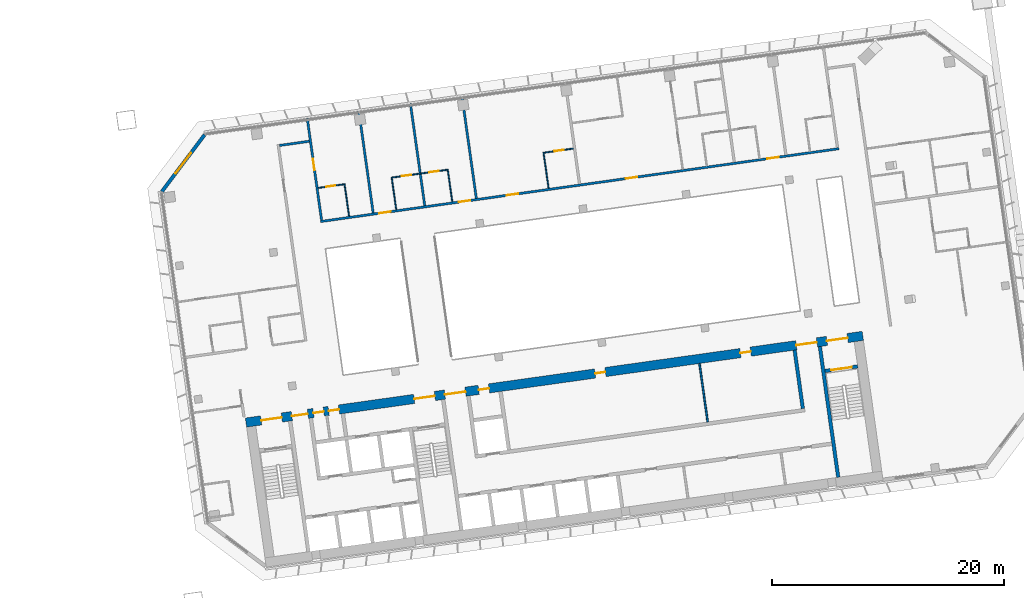
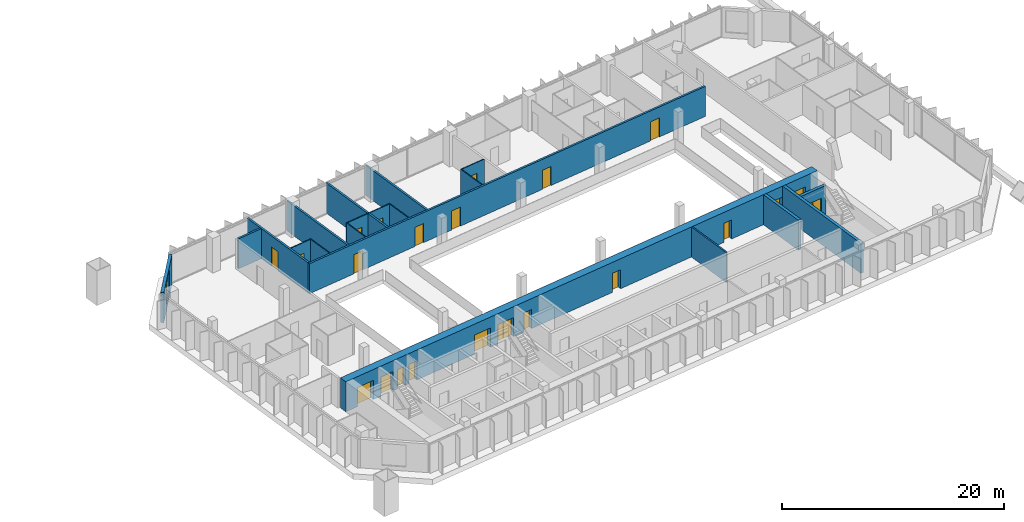
# One storey, part 24 of 34: 22 doors, 19 walls, 1 window, 23 openings.
"""IFC4 building model written with IfcOpenShell, lengths in metres."""

from ifc_helpers import new_model, si_unit, direction, frame, frame_2d, origin, place, context, subcontext, project, spatial, rectangle, extrude, material, layer, layer_set, type_object, element, fill, save


model = new_model("IFC4")

# Units and contexts
model_context = context("Model", 3, precision=1e-05, world=origin(), true_north=direction((0.0, 1.0)))
body_context = subcontext(model_context, "Body", "Model", "MODEL_VIEW")
ifc_project = project(units=[si_unit("LENGTHUNIT", "METRE"), si_unit("AREAUNIT", "SQUARE_METRE"), si_unit("VOLUMEUNIT", "CUBIC_METRE"), si_unit("PLANEANGLEUNIT", "RADIAN"), si_unit("MASSUNIT", "GRAM", prefix="KILO")], contexts=[model_context])

# Site, building, storey
site_placement = place(None, origin())
site = spatial("IfcSite", under=ifc_project, at=site_placement, CompositionType="ELEMENT")
building_placement = place(site_placement, origin())
building = spatial("IfcBuilding", under=site, at=building_placement, Name="Mirante Cascada Hotel Towers", CompositionType="ELEMENT")
storey_placement = place(building_placement, frame((0.0, 0.0, 148.1)))
storey = spatial("IfcBuildingStorey", under=building, at=storey_placement, Name="L34", CompositionType="ELEMENT", Elevation=148.1)

# Wall, openings, doors
ifc_material_1 = material(Name="Fire-rated plasterboard on metal studs")
ifc_layer_1 = layer(ifc_material_1, 0.2)
ifc_layer_set_1 = layer_set([ifc_layer_1], Name="Compartment wall 200 EI 120")
wall_type_1 = type_object("IfcWallType", Name="Compartment wall 200 EI 120", PredefinedType="PARTITIONING", material=ifc_layer_set_1)
wall_1_placement = place(storey_placement, frame((86.638, 16.0582, 0.0), z_axis=(0.0, 0.0, 1.0), x_axis=(-0.9902681, -0.1391726, 0.0)))
wall_1 = element("IfcWall", 1, at=wall_1_placement, inside=storey, type_object=wall_type_1, Name="Wall 2-L34-16", PredefinedType="PARTITIONING", context=body_context, shape_type="SweptSolid", body=[
    extrude(rectangle(XDim=45.2, YDim=0.2, at=frame_2d((22.6, 0.0))), origin(), (0.0, 0.0, 1.0), 3.3),
])
opening_1_placement = place(wall_1_placement, frame((39.0938, 0.0, 0.0)))
opening_1 = element("IfcOpeningElement", 2, at=opening_1_placement, cuts=wall_1, Name="Opening D2-L34-06", PredefinedType="OPENING", context=body_context, shape_type="SweptSolid", body=[
    extrude(rectangle(XDim=1.0, YDim=2.1, at=frame_2d((0.5, 1.05))), frame((0.0, 0.1, 0.0), z_axis=(0.0, -1.0, 0.0), x_axis=(1.0, 0.0, 0.0)), (0.0, 0.0, 1.0), 0.2),
])
opening_2_placement = place(wall_1_placement, frame((32.15, 0.0, 0.0)))
opening_2 = element("IfcOpeningElement", 3, at=opening_2_placement, cuts=wall_1, Name="Opening D2-L34-07", PredefinedType="OPENING", context=body_context, shape_type="SweptSolid", body=[
    extrude(rectangle(XDim=1.0, YDim=2.1, at=frame_2d((0.5, 1.05))), frame((0.0, 0.1, 0.0), z_axis=(0.0, -1.0, 0.0), x_axis=(1.0, 0.0, 0.0)), (0.0, 0.0, 1.0), 0.2),
])
opening_3_placement = place(wall_1_placement, frame((27.95, 0.0, 0.0)))
opening_3 = element("IfcOpeningElement", 4, at=opening_3_placement, cuts=wall_1, Name="Opening D2-L34-08", PredefinedType="OPENING", context=body_context, shape_type="SweptSolid", body=[
    extrude(rectangle(XDim=1.0, YDim=2.1, at=frame_2d((0.5, 1.05))), frame((0.0, 0.1, 0.0), z_axis=(0.0, -1.0, 0.0), x_axis=(1.0, 0.0, 0.0)), (0.0, 0.0, 1.0), 0.2),
])
opening_4_placement = place(wall_1_placement, frame((17.6, 0.0, 0.0)))
opening_4 = element("IfcOpeningElement", 5, at=opening_4_placement, cuts=wall_1, Name="Opening D2-L34-09", PredefinedType="OPENING", context=body_context, shape_type="SweptSolid", body=[
    extrude(rectangle(XDim=1.0, YDim=2.1, at=frame_2d((0.5, 1.05))), frame((0.0, 0.1, 0.0), z_axis=(0.0, -1.0, 0.0), x_axis=(1.0, 0.0, 0.0)), (0.0, 0.0, 1.0), 0.2),
])
opening_5_placement = place(wall_1_placement, frame((5.25, 0.0, 0.0)))
opening_5 = element("IfcOpeningElement", 6, at=opening_5_placement, cuts=wall_1, Name="Opening D2-L34-10", PredefinedType="OPENING", context=body_context, shape_type="SweptSolid", body=[
    extrude(rectangle(XDim=1.0, YDim=2.1, at=frame_2d((0.5, 1.05))), frame((0.0, 0.1, 0.0), z_axis=(0.0, -1.0, 0.0), x_axis=(1.0, 0.0, 0.0)), (0.0, 0.0, 1.0), 0.2),
])
ifc_material_2 = material(Name="Fire-rated timber door leaf", Category="wood")
door_type_1 = type_object("IfcDoorType", Name="Entrance door DG1 1000x2100 EI 60", OperationType="SINGLE_SWING_LEFT", PredefinedType="DOOR", material=ifc_material_2)
door_1_placement = place(opening_1_placement, frame((1.0, 0.0, 0.0), z_axis=(0.0, 0.0, 1.0), x_axis=(-1.0, 0.0, 0.0)))
door_1 = element("IfcDoor", 7, at=door_1_placement, inside=storey, type_object=door_type_1, Name="Door D2-L34-06", OperationType="SINGLE_SWING_RIGHT", OverallHeight=2.1, OverallWidth=1.0, PredefinedType="DOOR", context=body_context, shape_type="SweptSolid", body=[
    extrude(rectangle(XDim=1.0, YDim=2.1, at=frame_2d((0.5, 1.05))), frame((0.0, 0.025, 0.0), z_axis=(0.0, -1.0, 0.0), x_axis=(1.0, 0.0, 0.0)), (0.0, 0.0, 1.0), 0.05),
])
fill(opening_1, door_1)
door_2_placement = place(opening_2_placement, frame((1.0, 0.0, 0.0), z_axis=(0.0, 0.0, 1.0), x_axis=(-1.0, 0.0, 0.0)))
door_2 = element("IfcDoor", 8, at=door_2_placement, inside=storey, type_object=door_type_1, Name="Door D2-L34-07", OperationType="SINGLE_SWING_RIGHT", OverallHeight=2.1, OverallWidth=1.0, PredefinedType="DOOR", context=body_context, shape_type="SweptSolid", body=[
    extrude(rectangle(XDim=1.0, YDim=2.1, at=frame_2d((0.5, 1.05))), frame((0.0, 0.025, 0.0), z_axis=(0.0, -1.0, 0.0), x_axis=(1.0, 0.0, 0.0)), (0.0, 0.0, 1.0), 0.05),
])
fill(opening_2, door_2)
door_3_placement = place(opening_3_placement, frame((1.0, 0.0, 0.0), z_axis=(0.0, 0.0, 1.0), x_axis=(-1.0, 0.0, 0.0)))
door_3 = element("IfcDoor", 9, at=door_3_placement, inside=storey, type_object=door_type_1, Name="Door D2-L34-08", OperationType="SINGLE_SWING_RIGHT", OverallHeight=2.1, OverallWidth=1.0, PredefinedType="DOOR", context=body_context, shape_type="SweptSolid", body=[
    extrude(rectangle(XDim=1.0, YDim=2.1, at=frame_2d((0.5, 1.05))), frame((0.0, 0.025, 0.0), z_axis=(0.0, -1.0, 0.0), x_axis=(1.0, 0.0, 0.0)), (0.0, 0.0, 1.0), 0.05),
])
fill(opening_3, door_3)
door_4_placement = place(opening_4_placement, frame((1.0, 0.0, 0.0), z_axis=(0.0, 0.0, 1.0), x_axis=(-1.0, 0.0, 0.0)))
door_4 = element("IfcDoor", 10, at=door_4_placement, inside=storey, type_object=door_type_1, Name="Door D2-L34-09", OperationType="SINGLE_SWING_RIGHT", OverallHeight=2.1, OverallWidth=1.0, PredefinedType="DOOR", context=body_context, shape_type="SweptSolid", body=[
    extrude(rectangle(XDim=1.0, YDim=2.1, at=frame_2d((0.5, 1.05))), frame((0.0, 0.025, 0.0), z_axis=(0.0, -1.0, 0.0), x_axis=(1.0, 0.0, 0.0)), (0.0, 0.0, 1.0), 0.05),
])
fill(opening_4, door_4)
door_5_placement = place(opening_5_placement, frame((1.0, 0.0, 0.0), z_axis=(0.0, 0.0, 1.0), x_axis=(-1.0, 0.0, 0.0)))
door_5 = element("IfcDoor", 11, at=door_5_placement, inside=storey, type_object=door_type_1, Name="Door D2-L34-10", OperationType="SINGLE_SWING_RIGHT", OverallHeight=2.1, OverallWidth=1.0, PredefinedType="DOOR", context=body_context, shape_type="SweptSolid", body=[
    extrude(rectangle(XDim=1.0, YDim=2.1, at=frame_2d((0.5, 1.05))), frame((0.0, 0.025, 0.0), z_axis=(0.0, -1.0, 0.0), x_axis=(1.0, 0.0, 0.0)), (0.0, 0.0, 1.0), 0.05),
])
fill(opening_5, door_5)

# Wall
wall_2_placement = place(storey_placement, frame((40.9036, 16.6995, 0.0), z_axis=(0.0, 0.0, 1.0), x_axis=(-0.9902647, -0.1391971, 0.0)))
element("IfcWall", 12, at=wall_2_placement, inside=storey, type_object=wall_type_1, Name="Wall 2-L34-24", PredefinedType="PARTITIONING", context=body_context, shape_type="SweptSolid", body=[
    extrude(rectangle(XDim=2.5999, YDim=0.2, at=frame_2d((1.3, 0.0))), origin(), (0.0, 0.0, 1.0), 3.3),
])

# Wall, opening, door
wall_3_placement = place(storey_placement, frame((41.963, 9.8805, 0.0), z_axis=(0.0, 0.0, 1.0), x_axis=(-0.1391794, 0.9902672, 0.0)))
wall_3 = element("IfcWall", 13, at=wall_3_placement, inside=storey, type_object=wall_type_1, Name="Wall 2-L34-33", PredefinedType="PARTITIONING", context=body_context, shape_type="SweptSolid", body=[
    extrude(rectangle(XDim=8.9, YDim=0.2, at=frame_2d((4.45, 0.0))), origin(), (0.0, 0.0, 1.0), 3.3),
])
opening_6_placement = place(wall_3_placement, frame((4.35, 0.0, 0.0)))
opening_6 = element("IfcOpeningElement", 14, at=opening_6_placement, cuts=wall_3, Name="Opening D2-L34-25", PredefinedType="OPENING", context=body_context, shape_type="SweptSolid", body=[
    extrude(rectangle(XDim=1.0, YDim=2.1, at=frame_2d((0.5, 1.05))), frame((0.0, 0.1, 0.0), z_axis=(0.0, -1.0, 0.0), x_axis=(1.0, 0.0, 0.0)), (0.0, 0.0, 1.0), 0.2),
])
door_6_placement = place(opening_6_placement, frame((1.0, 0.0, 0.0), z_axis=(0.0, 0.0, 1.0), x_axis=(-1.0, 0.0, 0.0)))
door_6 = element("IfcDoor", 15, at=door_6_placement, inside=storey, type_object=door_type_1, Name="Door D2-L34-25", OperationType="SINGLE_SWING_RIGHT", OverallHeight=2.1, OverallWidth=1.0, PredefinedType="DOOR", context=body_context, shape_type="SweptSolid", body=[
    extrude(rectangle(XDim=1.0, YDim=2.1, at=frame_2d((0.5, 1.05))), frame((0.0, 0.025, 0.0), z_axis=(0.0, -1.0, 0.0), x_axis=(1.0, 0.0, 0.0)), (0.0, 0.0, 1.0), 0.05),
])
fill(opening_6, door_6)

# Walls
for number, where, z_axis, x_axis, name in (
    (16, (46.4192, 10.5068, 0.0), (0.0, 0.0, 1.0), (-0.1391794, 0.9902672, 0.0), "Wall 2-L34-35"),
    (17, (50.8754, 11.1331, 0.0), (0.0, 0.0, 1.0), (-0.1391794, 0.9902672, 0.0), "Wall 2-L34-37"),
    (18, (55.3316, 11.7594, 0.0), (0.0, 0.0, 1.0), (-0.1391794, 0.9902672, 0.0), "Wall 2-L34-39"),
):
    element("IfcWall", number, at=place(storey_placement, frame(where, z_axis=z_axis, x_axis=x_axis)), inside=storey, type_object=wall_type_1, Name=name, PredefinedType="PARTITIONING", context=body_context, shape_type="SweptSolid", body=[
        extrude(rectangle(XDim=8.9, YDim=0.2, at=frame_2d((4.45, 0.0))), origin(), (0.0, 0.0, 1.0), 3.3),
    ])
ifc_material_3 = material(Name="Masonry block", Category="masonry")
ifc_layer_2 = layer(ifc_material_3, 0.15)
ifc_layer_set_2 = layer_set([ifc_layer_2], Name="Core room partition 150 block EI 30")
wall_type_2 = type_object("IfcWallType", Name="Core room partition 150 block EI 30", PredefinedType="PARTITIONING", material=ifc_layer_set_2)
wall_4_placement = place(storey_placement, frame((75.3131, -7.5476, 0.0), z_axis=(0.0, 0.0, 1.0), x_axis=(-0.1391782, 0.9902673, 0.0)))
element("IfcWall", 19, at=wall_4_placement, inside=storey, type_object=wall_type_2, Name="Core wall partition T2 L34 7", PredefinedType="PARTITIONING", context=body_context, shape_type="SweptSolid", body=[
    extrude(rectangle(XDim=5.0999, YDim=0.15, at=frame_2d((2.55, 0.0))), origin(), (0.0, 0.0, 1.0), 3.3),
])

# Wall, opening, door
ifc_material_4 = material(Name="Plasterboard on metal studs")
ifc_layer_3 = layer(ifc_material_4, 0.1)
ifc_layer_set_3 = layer_set([ifc_layer_3], Name="Partition 100")
wall_type_3 = type_object("IfcWallType", Name="Partition 100", PredefinedType="PARTITIONING", material=ifc_layer_set_3)
wall_5_placement = place(storey_placement, frame((41.6723, 12.6672, 0.0), z_axis=(0.0, 0.0, 1.0), x_axis=(0.9902643, 0.1391997, 0.0)))
wall_5 = element("IfcWall", 20, at=wall_5_placement, inside=storey, type_object=wall_type_3, Name="Wall 2-L34-17", PredefinedType="PARTITIONING", context=body_context, shape_type="SweptSolid", body=[
    extrude(rectangle(XDim=2.25, YDim=0.1, at=frame_2d((1.125, 0.0))), origin(), (0.0, 0.0, 1.0), 3.3),
])
opening_7_placement = place(wall_5_placement, frame((0.7, 0.0, 0.0)))
opening_7 = element("IfcOpeningElement", 21, at=opening_7_placement, cuts=wall_5, Name="Opening D2-L34-11", PredefinedType="OPENING", context=body_context, shape_type="SweptSolid", body=[
    extrude(rectangle(XDim=0.8, YDim=2.1, at=frame_2d((0.4, 1.05))), frame((0.0, 0.05, 0.0), z_axis=(0.0, -1.0, 0.0), x_axis=(1.0, 0.0, 0.0)), (0.0, 0.0, 1.0), 0.1),
])
ifc_material_5 = material(Name="Timber door leaf", Category="wood")
door_type_2 = type_object("IfcDoorType", Name="Bathroom door DG4 800x2100", OperationType="SINGLE_SWING_LEFT", PredefinedType="DOOR", material=ifc_material_5)
door_7_placement = place(opening_7_placement, origin())
door_7 = element("IfcDoor", 22, at=door_7_placement, inside=storey, type_object=door_type_2, Name="Door D2-L34-11", OperationType="SINGLE_SWING_LEFT", OverallHeight=2.1, OverallWidth=0.8, PredefinedType="DOOR", context=body_context, shape_type="SweptSolid", body=[
    extrude(rectangle(XDim=0.8, YDim=2.1, at=frame_2d((0.4, 1.05))), frame((0.0, 0.025, 0.0), z_axis=(0.0, -1.0, 0.0), x_axis=(1.0, 0.0, 0.0)), (0.0, 0.0, 1.0), 0.05),
])
fill(opening_7, door_7)

# Wall, openings, doors
wall_6_placement = place(storey_placement, frame((52.9119, 14.2468, 0.0), z_axis=(0.0, 0.0, 1.0), x_axis=(-0.9902689, -0.139167, 0.0)))
wall_6 = element("IfcWall", 23, at=wall_6_placement, inside=storey, type_object=wall_type_3, Name="Wall 2-L34-18", PredefinedType="PARTITIONING", context=body_context, shape_type="SweptSolid", body=[
    extrude(rectangle(XDim=4.9875, YDim=0.1, at=frame_2d((2.4938, 0.0))), origin(), (0.0, 0.0, 1.0), 3.3),
])
opening_8_placement = place(wall_6_placement, frame((3.25, 0.0, 0.0)))
opening_8 = element("IfcOpeningElement", 24, at=opening_8_placement, cuts=wall_6, Name="Opening D2-L34-12", PredefinedType="OPENING", context=body_context, shape_type="SweptSolid", body=[
    extrude(rectangle(XDim=0.8, YDim=2.1, at=frame_2d((0.4, 1.05))), frame((0.0, 0.05, 0.0), z_axis=(0.0, -1.0, 0.0), x_axis=(1.0, 0.0, 0.0)), (0.0, 0.0, 1.0), 0.1),
])
opening_9_placement = place(wall_6_placement, frame((0.85, 0.0, 0.0)))
opening_9 = element("IfcOpeningElement", 25, at=opening_9_placement, cuts=wall_6, Name="Opening D2-L34-13", PredefinedType="OPENING", context=body_context, shape_type="SweptSolid", body=[
    extrude(rectangle(XDim=0.8, YDim=2.1, at=frame_2d((0.4, 1.05))), frame((0.0, 0.05, 0.0), z_axis=(0.0, -1.0, 0.0), x_axis=(1.0, 0.0, 0.0)), (0.0, 0.0, 1.0), 0.1),
])
door_8_placement = place(opening_8_placement, frame((0.8, 0.0, 0.0), z_axis=(0.0, 0.0, 1.0), x_axis=(-1.0, 0.0, 0.0)))
door_8 = element("IfcDoor", 26, at=door_8_placement, inside=storey, type_object=door_type_2, Name="Door D2-L34-12", OperationType="SINGLE_SWING_RIGHT", OverallHeight=2.1, OverallWidth=0.8, PredefinedType="DOOR", context=body_context, shape_type="SweptSolid", body=[
    extrude(rectangle(XDim=0.8, YDim=2.1, at=frame_2d((0.4, 1.05))), frame((0.0, 0.025, 0.0), z_axis=(0.0, -1.0, 0.0), x_axis=(1.0, 0.0, 0.0)), (0.0, 0.0, 1.0), 0.05),
])
fill(opening_8, door_8)
door_9_placement = place(opening_9_placement, frame((0.8, 0.0, 0.0), z_axis=(0.0, 0.0, 1.0), x_axis=(-1.0, 0.0, 0.0)))
door_9 = element("IfcDoor", 27, at=door_9_placement, inside=storey, type_object=door_type_2, Name="Door D2-L34-13", OperationType="SINGLE_SWING_RIGHT", OverallHeight=2.1, OverallWidth=0.8, PredefinedType="DOOR", context=body_context, shape_type="SweptSolid", body=[
    extrude(rectangle(XDim=0.8, YDim=2.1, at=frame_2d((0.4, 1.05))), frame((0.0, 0.025, 0.0), z_axis=(0.0, -1.0, 0.0), x_axis=(1.0, 0.0, 0.0)), (0.0, 0.0, 1.0), 0.05),
])
fill(opening_9, door_9)

# Wall, opening, door
wall_7_placement = place(storey_placement, frame((61.1884, 15.713, 0.0), z_axis=(0.0, 0.0, 1.0), x_axis=(0.990267, 0.1391809, 0.0)))
wall_7 = element("IfcWall", 28, at=wall_7_placement, inside=storey, type_object=wall_type_3, Name="Wall 2-L34-21", PredefinedType="PARTITIONING", context=body_context, shape_type="SweptSolid", body=[
    extrude(rectangle(XDim=2.5499, YDim=0.1, at=frame_2d((1.275, 0.0))), origin(), (0.0, 0.0, 1.0), 3.3),
])
opening_10_placement = place(wall_7_placement, frame((0.9, 0.0, 0.0)))
opening_10 = element("IfcOpeningElement", 29, at=opening_10_placement, cuts=wall_7, Name="Opening D2-L34-17", PredefinedType="OPENING", context=body_context, shape_type="SweptSolid", body=[
    extrude(rectangle(XDim=0.8, YDim=2.1, at=frame_2d((0.4, 1.05))), frame((0.0, 0.05, 0.0), z_axis=(0.0, -1.0, 0.0), x_axis=(1.0, 0.0, 0.0)), (0.0, 0.0, 1.0), 0.1),
])
door_10_placement = place(opening_10_placement, origin())
door_10 = element("IfcDoor", 30, at=door_10_placement, inside=storey, type_object=door_type_2, Name="Door D2-L34-17", OperationType="SINGLE_SWING_LEFT", OverallHeight=2.1, OverallWidth=0.8, PredefinedType="DOOR", context=body_context, shape_type="SweptSolid", body=[
    extrude(rectangle(XDim=0.8, YDim=2.1, at=frame_2d((0.4, 1.05))), frame((0.0, 0.025, 0.0), z_axis=(0.0, -1.0, 0.0), x_axis=(1.0, 0.0, 0.0)), (0.0, 0.0, 1.0), 0.05),
])
fill(opening_10, door_10)

# Walls
wall_8_placement = place(storey_placement, frame((43.943, 13.0368, 0.0), z_axis=(0.0, 0.0, 1.0), x_axis=(0.1391613, -0.9902697, 0.0)))
element("IfcWall", 31, at=wall_8_placement, inside=storey, type_object=wall_type_3, Name="Wall 2-L34-34", PredefinedType="PARTITIONING", context=body_context, shape_type="SweptSolid", body=[
    extrude(rectangle(XDim=2.8499, YDim=0.1, at=frame_2d((1.425, 0.0))), origin(), (0.0, 0.0, 1.0), 3.3),
])
wall_9_placement = place(storey_placement, frame((48.0294, 13.5101, 0.0), z_axis=(0.0, 0.0, 1.0), x_axis=(0.1391657, -0.9902691, 0.0)))
element("IfcWall", 32, at=wall_9_placement, inside=storey, type_object=wall_type_3, Name="Wall 2-L34-36", PredefinedType="PARTITIONING", context=body_context, shape_type="SweptSolid", body=[
    extrude(rectangle(XDim=2.75, YDim=0.1, at=frame_2d((1.375, 0.0))), origin(), (0.0, 0.0, 1.0), 3.3),
])
wall_10_placement = place(storey_placement, frame((52.8693, 14.1904, 0.0), z_axis=(0.0, 0.0, 1.0), x_axis=(0.1391607, -0.9902698, 0.0)))
element("IfcWall", 33, at=wall_10_placement, inside=storey, type_object=wall_type_3, Name="Wall 2-L34-38", PredefinedType="PARTITIONING", context=body_context, shape_type="SweptSolid", body=[
    extrude(rectangle(XDim=2.7501, YDim=0.1, at=frame_2d((1.3751, 0.0))), origin(), (0.0, 0.0, 1.0), 3.3),
])
wall_11_placement = place(storey_placement, frame((61.1319, 15.7555, 0.0), z_axis=(0.0, 0.0, 1.0), x_axis=(0.1391765, -0.9902676, 0.0)))
element("IfcWall", 34, at=wall_11_placement, inside=storey, type_object=wall_type_3, Name="Wall 2-L34-40", PredefinedType="PARTITIONING", context=body_context, shape_type="SweptSolid", body=[
    extrude(rectangle(XDim=3.15, YDim=0.1, at=frame_2d((1.575, 0.0))), origin(), (0.0, 0.0, 1.0), 3.3),
])

# Wall, opening, window
ifc_material_6 = material(Name="Precast concrete C40/50", Category="concrete")
ifc_layer_4 = layer(ifc_material_6, 0.3)
ifc_layer_set_4 = layer_set([ifc_layer_4], Name="Precast concrete C40/50 cladding wall 300")
wall_type_4 = type_object("IfcWallType", Name="Precast concrete C40/50 cladding wall 300", PredefinedType="STANDARD", material=ifc_layer_set_4)
wall_12_placement = place(storey_placement, frame((31.857, 17.252, 0.0), z_axis=(0.0, 0.0, 1.0), x_axis=(-0.6018141, -0.7986362, 0.0)))
wall_12 = element("IfcWall", 35, at=wall_12_placement, inside=storey, type_object=wall_type_4, Name="Corner cladding wall T2 L34 front inner", PredefinedType="STANDARD", context=body_context, shape_type="SweptSolid", body=[
    extrude(rectangle(XDim=6.1157, YDim=0.3, at=frame_2d((3.0578, 0.0))), origin(), (0.0, 0.0, 1.0), 3.3),
])
opening_11_placement = place(wall_12_placement, frame((1.9578, 0.0, 0.6)))
opening_11 = element("IfcOpeningElement", 36, at=opening_11_placement, cuts=wall_12, Name="Opening W2-34-05", PredefinedType="OPENING", context=body_context, shape_type="SweptSolid", body=[
    extrude(rectangle(XDim=2.2, YDim=2.4, at=frame_2d((1.1, 1.2))), frame((0.0, 0.15, 0.0), z_axis=(0.0, -1.0, 0.0), x_axis=(1.0, 0.0, 0.0)), (0.0, 0.0, 1.0), 0.3),
])
ifc_material_7 = material(Name="Aluminium frame with clear double glazing", Category="aluminium")
window_type = type_object("IfcWindowType", Name="Corner suite window 2200x2400", PartitioningType="DOUBLE_PANEL_VERTICAL", PredefinedType="WINDOW", material=ifc_material_7)
window_placement = place(opening_11_placement, origin())
window = element("IfcWindow", 37, at=window_placement, inside=storey, type_object=window_type, Name="Window W2-34-05", OverallHeight=2.4, OverallWidth=2.2, PartitioningType="SINGLE_PANEL", PredefinedType="WINDOW", context=body_context, shape_type="SweptSolid", body=[
    extrude(rectangle(XDim=2.2, YDim=2.4, at=frame_2d((1.1, 1.2))), frame((0.0, 0.03, 0.0), z_axis=(0.0, -1.0, 0.0), x_axis=(1.0, 0.0, 0.0)), (0.0, 0.0, 1.0), 0.06),
])
fill(opening_11, window)

# Wall
ifc_material_8 = material(Name="Concrete C50/60", Category="concrete")
ifc_layer_5 = layer(ifc_material_8, 0.3)
ifc_layer_set_5 = layer_set([ifc_layer_5], Name="RC core wall 300 C50/60")
wall_type_5 = type_object("IfcWallType", Name="RC core wall 300 C50/60", PredefinedType="SHEAR", material=ifc_layer_set_5)
wall_13_placement = place(storey_placement, frame((86.5877, -12.325, 0.0), z_axis=(0.0, 0.0, 1.0), x_axis=(-0.1391749, 0.9902678, 0.0)))
element("IfcWall", 38, at=wall_13_placement, inside=storey, type_object=wall_type_5, Name="Core wall T2:L34:8", PredefinedType="SHEAR", context=body_context, shape_type="SweptSolid", body=[
    extrude(rectangle(XDim=11.4, YDim=0.3, at=frame_2d((5.7, 0.0))), origin(), (0.0, 0.0, 1.0), 3.3),
])

# Wall, opening, door
wall_14_placement = place(storey_placement, frame((85.4489, -3.1441, 0.0), z_axis=(0.0, 0.0, 1.0), x_axis=(0.9902697, 0.1391613, 0.0)))
wall_14 = element("IfcWall", 39, at=wall_14_placement, inside=storey, type_object=wall_type_5, Name="Core wall T2:L34:11", PredefinedType="SHEAR", context=body_context, shape_type="SweptSolid", body=[
    extrude(rectangle(XDim=2.8499, YDim=0.3, at=frame_2d((1.425, 0.0))), origin(), (0.0, 0.0, 1.0), 3.3),
])
opening_12_placement = place(wall_14_placement, frame((0.525, 0.0, 0.0)))
opening_12 = element("IfcOpeningElement", 40, at=opening_12_placement, cuts=wall_14, Name="Opening D2-34-C17", PredefinedType="OPENING", context=body_context, shape_type="SweptSolid", body=[
    extrude(rectangle(XDim=1.8, YDim=2.1, at=frame_2d((0.9, 1.05))), frame((0.0, 0.15, 0.0), z_axis=(0.0, -1.0, 0.0), x_axis=(1.0, 0.0, 0.0)), (0.0, 0.0, 1.0), 0.3),
])
ifc_material_9 = material(Name="Hollow metal fire door leaf")
door_type_3 = type_object("IfcDoorType", Name="Double fire door 1800x2100 FD60", OperationType="DOUBLE_DOOR_SINGLE_SWING", PredefinedType="DOOR", material=ifc_material_9)
door_11_placement = place(opening_12_placement, frame((1.8, 0.0, 0.0), z_axis=(0.0, 0.0, 1.0), x_axis=(-1.0, 0.0, 0.0)))
door_11 = element("IfcDoor", 41, at=door_11_placement, inside=storey, type_object=door_type_3, Name="Stair door T2 L34 17", OperationType="DOUBLE_DOOR_SINGLE_SWING", OverallHeight=2.1, OverallWidth=1.8, PredefinedType="DOOR", context=body_context, shape_type="SweptSolid", body=[
    extrude(rectangle(XDim=0.895, YDim=2.1, at=frame_2d((0.4475, 1.05))), frame((0.0, 0.025, 0.0), z_axis=(0.0, -1.0, 0.0), x_axis=(1.0, 0.0, 0.0)), (0.0, 0.0, 1.0), 0.05),
    extrude(rectangle(XDim=0.895, YDim=2.1, at=frame_2d((1.3525, 1.05))), frame((0.0, 0.025, 0.0), z_axis=(0.0, -1.0, 0.0), x_axis=(1.0, 0.0, 0.0)), (0.0, 0.0, 1.0), 0.05),
])
fill(opening_12, door_11)

# Wall
wall_15_placement = place(storey_placement, frame((83.5323, -6.3925, 0.0), z_axis=(0.0, 0.0, 1.0), x_axis=(-0.1391755, 0.9902677, 0.0)))
element("IfcWall", 42, at=wall_15_placement, inside=storey, type_object=wall_type_5, Name="Core wall T2:L34:35", PredefinedType="SHEAR", context=body_context, shape_type="SweptSolid", body=[
    extrude(rectangle(XDim=5.1, YDim=0.3, at=frame_2d((2.55, 0.0))), origin(), (0.0, 0.0, 1.0), 3.3),
])

# Wall, openings, doors
ifc_material_10 = material(Name="Concrete C50/60", Category="concrete")
ifc_layer_6 = layer(ifc_material_10, 0.8)
ifc_layer_set_6 = layer_set([ifc_layer_6], Name="RC core wall 800 C50/60")
wall_type_6 = type_object("IfcWallType", Name="RC core wall 800 C50/60", PredefinedType="SHEAR", material=ifc_layer_set_6)
wall_16_placement = place(storey_placement, frame((35.432, -7.5985, 0.0), z_axis=(0.0, 0.0, 1.0), x_axis=(0.9902681, 0.1391729, 0.0)))
wall_16 = element("IfcWall", 43, at=wall_16_placement, inside=storey, type_object=wall_type_6, Name="Core wall T2:L34:2", PredefinedType="SHEAR", context=body_context, shape_type="SweptSolid", body=[
    extrude(rectangle(XDim=53.8, YDim=0.8, at=frame_2d((26.9, 0.0))), origin(), (0.0, 0.0, 1.0), 3.3),
])
opening_13_placement = place(wall_16_placement, frame((1.325, 0.0, 0.0)))
opening_13 = element("IfcOpeningElement", 44, at=opening_13_placement, cuts=wall_16, Name="Opening D2-34-C14", PredefinedType="OPENING", context=body_context, shape_type="SweptSolid", body=[
    extrude(rectangle(XDim=1.8, YDim=2.1, at=frame_2d((0.9, 1.05))), frame((0.0, 0.4, 0.0), z_axis=(0.0, -1.0, 0.0), x_axis=(1.0, 0.0, 0.0)), (0.0, 0.0, 1.0), 0.8),
])
opening_14_placement = place(wall_16_placement, frame((14.675, 0.0, 0.0)))
opening_14 = element("IfcOpeningElement", 45, at=opening_14_placement, cuts=wall_16, Name="Opening D2-34-C16", PredefinedType="OPENING", context=body_context, shape_type="SweptSolid", body=[
    extrude(rectangle(XDim=1.8, YDim=2.1, at=frame_2d((0.9, 1.05))), frame((0.0, 0.4, 0.0), z_axis=(0.0, -1.0, 0.0), x_axis=(1.0, 0.0, 0.0)), (0.0, 0.0, 1.0), 0.8),
])
opening_15_placement = place(wall_16_placement, frame((50.675, 0.0, 0.0)))
opening_15 = element("IfcOpeningElement", 46, at=opening_15_placement, cuts=wall_16, Name="Opening D2-34-C18", PredefinedType="OPENING", context=body_context, shape_type="SweptSolid", body=[
    extrude(rectangle(XDim=1.8, YDim=2.1, at=frame_2d((0.9, 1.05))), frame((0.0, 0.4, 0.0), z_axis=(0.0, -1.0, 0.0), x_axis=(1.0, 0.0, 0.0)), (0.0, 0.0, 1.0), 0.8),
])
opening_16_placement = place(wall_16_placement, frame((4.0, 0.0, 0.0)))
opening_16 = element("IfcOpeningElement", 47, at=opening_16_placement, cuts=wall_16, Name="Opening D2-34-C19", PredefinedType="OPENING", context=body_context, shape_type="SweptSolid", body=[
    extrude(rectangle(XDim=1.4, YDim=2.1, at=frame_2d((0.7, 1.05))), frame((0.0, 0.4, 0.0), z_axis=(0.0, -1.0, 0.0), x_axis=(1.0, 0.0, 0.0)), (0.0, 0.0, 1.0), 0.8),
])
opening_17_placement = place(wall_16_placement, frame((17.35, 0.0, 0.0)))
opening_17 = element("IfcOpeningElement", 48, at=opening_17_placement, cuts=wall_16, Name="Opening D2-34-C20", PredefinedType="OPENING", context=body_context, shape_type="SweptSolid", body=[
    extrude(rectangle(XDim=1.8, YDim=2.1, at=frame_2d((0.9, 1.05))), frame((0.0, 0.4, 0.0), z_axis=(0.0, -1.0, 0.0), x_axis=(1.0, 0.0, 0.0)), (0.0, 0.0, 1.0), 0.8),
])
opening_18_placement = place(wall_16_placement, frame((48.0, 0.0, 0.0)))
opening_18 = element("IfcOpeningElement", 49, at=opening_18_placement, cuts=wall_16, Name="Opening D2-34-C21", PredefinedType="OPENING", context=body_context, shape_type="SweptSolid", body=[
    extrude(rectangle(XDim=1.8, YDim=2.1, at=frame_2d((0.9, 1.05))), frame((0.0, 0.4, 0.0), z_axis=(0.0, -1.0, 0.0), x_axis=(1.0, 0.0, 0.0)), (0.0, 0.0, 1.0), 0.8),
])
opening_19_placement = place(wall_16_placement, frame((5.8875, 0.0, 0.0)))
opening_19 = element("IfcOpeningElement", 50, at=opening_19_placement, cuts=wall_16, Name="Opening D2-34-C24", PredefinedType="OPENING", context=body_context, shape_type="SweptSolid", body=[
    extrude(rectangle(XDim=0.9, YDim=2.1, at=frame_2d((0.45, 1.05))), frame((0.0, 0.4, 0.0), z_axis=(0.0, -1.0, 0.0), x_axis=(1.0, 0.0, 0.0)), (0.0, 0.0, 1.0), 0.8),
])
opening_20_placement = place(wall_16_placement, frame((7.2125, 0.0, 0.0)))
opening_20 = element("IfcOpeningElement", 51, at=opening_20_placement, cuts=wall_16, Name="Opening D2-34-C25", PredefinedType="OPENING", context=body_context, shape_type="SweptSolid", body=[
    extrude(rectangle(XDim=0.9, YDim=2.1, at=frame_2d((0.45, 1.05))), frame((0.0, 0.4, 0.0), z_axis=(0.0, -1.0, 0.0), x_axis=(1.0, 0.0, 0.0)), (0.0, 0.0, 1.0), 0.8),
])
opening_21_placement = place(wall_16_placement, frame((20.3, 0.0, 0.0)))
opening_21 = element("IfcOpeningElement", 52, at=opening_21_placement, cuts=wall_16, Name="Opening D2-34-C29", PredefinedType="OPENING", context=body_context, shape_type="SweptSolid", body=[
    extrude(rectangle(XDim=0.9, YDim=2.1, at=frame_2d((0.45, 1.05))), frame((0.0, 0.4, 0.0), z_axis=(0.0, -1.0, 0.0), x_axis=(1.0, 0.0, 0.0)), (0.0, 0.0, 1.0), 0.8),
])
opening_22_placement = place(wall_16_placement, frame((30.45, 0.0, 0.0)))
opening_22 = element("IfcOpeningElement", 53, at=opening_22_placement, cuts=wall_16, Name="Opening D2-34-C30", PredefinedType="OPENING", context=body_context, shape_type="SweptSolid", body=[
    extrude(rectangle(XDim=0.9, YDim=2.1, at=frame_2d((0.45, 1.05))), frame((0.0, 0.4, 0.0), z_axis=(0.0, -1.0, 0.0), x_axis=(1.0, 0.0, 0.0)), (0.0, 0.0, 1.0), 0.8),
])
opening_23_placement = place(wall_16_placement, frame((43.125, 0.0, 0.0)))
opening_23 = element("IfcOpeningElement", 54, at=opening_23_placement, cuts=wall_16, Name="Opening D2-34-C31", PredefinedType="OPENING", context=body_context, shape_type="SweptSolid", body=[
    extrude(rectangle(XDim=0.9, YDim=2.1, at=frame_2d((0.45, 1.05))), frame((0.0, 0.4, 0.0), z_axis=(0.0, -1.0, 0.0), x_axis=(1.0, 0.0, 0.0)), (0.0, 0.0, 1.0), 0.8),
])
ifc_material_11 = material(Name="Hollow metal fire door leaf")
door_type_4 = type_object("IfcDoorType", Name="Double fire door 1400x2100 FD60", OperationType="DOUBLE_DOOR_SINGLE_SWING", PredefinedType="DOOR", material=ifc_material_11)
door_12_placement = place(opening_16_placement, origin())
door_12 = element("IfcDoor", 55, at=door_12_placement, inside=storey, type_object=door_type_4, Name="Exit door to gallery T2 L34 19", OperationType="DOUBLE_DOOR_SINGLE_SWING", OverallHeight=2.1, OverallWidth=1.4, PredefinedType="DOOR", context=body_context, shape_type="SweptSolid", body=[
    extrude(rectangle(XDim=0.695, YDim=2.1, at=frame_2d((0.3475, 1.05))), frame((0.0, 0.025, 0.0), z_axis=(0.0, -1.0, 0.0), x_axis=(1.0, 0.0, 0.0)), (0.0, 0.0, 1.0), 0.05),
    extrude(rectangle(XDim=0.695, YDim=2.1, at=frame_2d((1.0525, 1.05))), frame((0.0, 0.025, 0.0), z_axis=(0.0, -1.0, 0.0), x_axis=(1.0, 0.0, 0.0)), (0.0, 0.0, 1.0), 0.05),
])
fill(opening_16, door_12)
door_13_placement = place(opening_13_placement, frame((1.8, 0.0, 0.0), z_axis=(0.0, 0.0, 1.0), x_axis=(-1.0, 0.0, 0.0)))
door_13 = element("IfcDoor", 56, at=door_13_placement, inside=storey, type_object=door_type_3, Name="Exit door to gallery T2 L34 14", OperationType="DOUBLE_DOOR_SINGLE_SWING", OverallHeight=2.1, OverallWidth=1.8, PredefinedType="DOOR", context=body_context, shape_type="SweptSolid", body=[
    extrude(rectangle(XDim=0.895, YDim=2.1, at=frame_2d((0.4475, 1.05))), frame((0.0, 0.025, 0.0), z_axis=(0.0, -1.0, 0.0), x_axis=(1.0, 0.0, 0.0)), (0.0, 0.0, 1.0), 0.05),
    extrude(rectangle(XDim=0.895, YDim=2.1, at=frame_2d((1.3525, 1.05))), frame((0.0, 0.025, 0.0), z_axis=(0.0, -1.0, 0.0), x_axis=(1.0, 0.0, 0.0)), (0.0, 0.0, 1.0), 0.05),
])
fill(opening_13, door_13)
door_14_placement = place(opening_14_placement, frame((1.8, 0.0, 0.0), z_axis=(0.0, 0.0, 1.0), x_axis=(-1.0, 0.0, 0.0)))
door_14 = element("IfcDoor", 57, at=door_14_placement, inside=storey, type_object=door_type_3, Name="Exit door to gallery T2 L34 16", OperationType="DOUBLE_DOOR_SINGLE_SWING", OverallHeight=2.1, OverallWidth=1.8, PredefinedType="DOOR", context=body_context, shape_type="SweptSolid", body=[
    extrude(rectangle(XDim=0.895, YDim=2.1, at=frame_2d((0.4475, 1.05))), frame((0.0, 0.025, 0.0), z_axis=(0.0, -1.0, 0.0), x_axis=(1.0, 0.0, 0.0)), (0.0, 0.0, 1.0), 0.05),
    extrude(rectangle(XDim=0.895, YDim=2.1, at=frame_2d((1.3525, 1.05))), frame((0.0, 0.025, 0.0), z_axis=(0.0, -1.0, 0.0), x_axis=(1.0, 0.0, 0.0)), (0.0, 0.0, 1.0), 0.05),
])
fill(opening_14, door_14)
door_15_placement = place(opening_15_placement, frame((1.8, 0.0, 0.0), z_axis=(0.0, 0.0, 1.0), x_axis=(-1.0, 0.0, 0.0)))
door_15 = element("IfcDoor", 58, at=door_15_placement, inside=storey, type_object=door_type_3, Name="Exit door to gallery T2 L34 18", OperationType="DOUBLE_DOOR_SINGLE_SWING", OverallHeight=2.1, OverallWidth=1.8, PredefinedType="DOOR", context=body_context, shape_type="SweptSolid", body=[
    extrude(rectangle(XDim=0.895, YDim=2.1, at=frame_2d((0.4475, 1.05))), frame((0.0, 0.025, 0.0), z_axis=(0.0, -1.0, 0.0), x_axis=(1.0, 0.0, 0.0)), (0.0, 0.0, 1.0), 0.05),
    extrude(rectangle(XDim=0.895, YDim=2.1, at=frame_2d((1.3525, 1.05))), frame((0.0, 0.025, 0.0), z_axis=(0.0, -1.0, 0.0), x_axis=(1.0, 0.0, 0.0)), (0.0, 0.0, 1.0), 0.05),
])
fill(opening_15, door_15)
door_16_placement = place(opening_17_placement, origin())
door_16 = element("IfcDoor", 59, at=door_16_placement, inside=storey, type_object=door_type_3, Name="Exit door to gallery T2 L34 20", OperationType="DOUBLE_DOOR_SINGLE_SWING", OverallHeight=2.1, OverallWidth=1.8, PredefinedType="DOOR", context=body_context, shape_type="SweptSolid", body=[
    extrude(rectangle(XDim=0.895, YDim=2.1, at=frame_2d((0.4475, 1.05))), frame((0.0, 0.025, 0.0), z_axis=(0.0, -1.0, 0.0), x_axis=(1.0, 0.0, 0.0)), (0.0, 0.0, 1.0), 0.05),
    extrude(rectangle(XDim=0.895, YDim=2.1, at=frame_2d((1.3525, 1.05))), frame((0.0, 0.025, 0.0), z_axis=(0.0, -1.0, 0.0), x_axis=(1.0, 0.0, 0.0)), (0.0, 0.0, 1.0), 0.05),
])
fill(opening_17, door_16)
door_17_placement = place(opening_18_placement, origin())
door_17 = element("IfcDoor", 60, at=door_17_placement, inside=storey, type_object=door_type_3, Name="Exit door to gallery T2 L34 21", OperationType="DOUBLE_DOOR_SINGLE_SWING", OverallHeight=2.1, OverallWidth=1.8, PredefinedType="DOOR", context=body_context, shape_type="SweptSolid", body=[
    extrude(rectangle(XDim=0.895, YDim=2.1, at=frame_2d((0.4475, 1.05))), frame((0.0, 0.025, 0.0), z_axis=(0.0, -1.0, 0.0), x_axis=(1.0, 0.0, 0.0)), (0.0, 0.0, 1.0), 0.05),
    extrude(rectangle(XDim=0.895, YDim=2.1, at=frame_2d((1.3525, 1.05))), frame((0.0, 0.025, 0.0), z_axis=(0.0, -1.0, 0.0), x_axis=(1.0, 0.0, 0.0)), (0.0, 0.0, 1.0), 0.05),
])
fill(opening_18, door_17)
ifc_material_12 = material(Name="Hollow metal fire door leaf")
door_type_5 = type_object("IfcDoorType", Name="Fire door 900x2100 FD60", OperationType="NOTDEFINED", PredefinedType="DOOR", material=ifc_material_12)
door_18_placement = place(opening_19_placement, frame((0.9, 0.0, 0.0), z_axis=(0.0, 0.0, 1.0), x_axis=(-1.0, 0.0, 0.0)))
door_18 = element("IfcDoor", 61, at=door_18_placement, inside=storey, type_object=door_type_5, Name="Room door T2 L34 24", OperationType="SINGLE_SWING_LEFT", OverallHeight=2.1, OverallWidth=0.9, PredefinedType="DOOR", context=body_context, shape_type="SweptSolid", body=[
    extrude(rectangle(XDim=0.9, YDim=2.1, at=frame_2d((0.45, 1.05))), frame((0.0, 0.025, 0.0), z_axis=(0.0, -1.0, 0.0), x_axis=(1.0, 0.0, 0.0)), (0.0, 0.0, 1.0), 0.05),
])
fill(opening_19, door_18)
door_19_placement = place(opening_20_placement, frame((0.9, 0.0, 0.0), z_axis=(0.0, 0.0, 1.0), x_axis=(-1.0, 0.0, 0.0)))
door_19 = element("IfcDoor", 62, at=door_19_placement, inside=storey, type_object=door_type_5, Name="Room door T2 L34 25", OperationType="SINGLE_SWING_LEFT", OverallHeight=2.1, OverallWidth=0.9, PredefinedType="DOOR", context=body_context, shape_type="SweptSolid", body=[
    extrude(rectangle(XDim=0.9, YDim=2.1, at=frame_2d((0.45, 1.05))), frame((0.0, 0.025, 0.0), z_axis=(0.0, -1.0, 0.0), x_axis=(1.0, 0.0, 0.0)), (0.0, 0.0, 1.0), 0.05),
])
fill(opening_20, door_19)
door_20_placement = place(opening_21_placement, frame((0.9, 0.0, 0.0), z_axis=(0.0, 0.0, 1.0), x_axis=(-1.0, 0.0, 0.0)))
door_20 = element("IfcDoor", 63, at=door_20_placement, inside=storey, type_object=door_type_5, Name="Room door T2 L34 29", OperationType="SINGLE_SWING_LEFT", OverallHeight=2.1, OverallWidth=0.9, PredefinedType="DOOR", context=body_context, shape_type="SweptSolid", body=[
    extrude(rectangle(XDim=0.9, YDim=2.1, at=frame_2d((0.45, 1.05))), frame((0.0, 0.025, 0.0), z_axis=(0.0, -1.0, 0.0), x_axis=(1.0, 0.0, 0.0)), (0.0, 0.0, 1.0), 0.05),
])
fill(opening_21, door_20)
door_21_placement = place(opening_22_placement, frame((0.9, 0.0, 0.0), z_axis=(0.0, 0.0, 1.0), x_axis=(-1.0, 0.0, 0.0)))
door_21 = element("IfcDoor", 64, at=door_21_placement, inside=storey, type_object=door_type_5, Name="Room door T2 L34 30", OperationType="SINGLE_SWING_RIGHT", OverallHeight=2.1, OverallWidth=0.9, PredefinedType="DOOR", context=body_context, shape_type="SweptSolid", body=[
    extrude(rectangle(XDim=0.9, YDim=2.1, at=frame_2d((0.45, 1.05))), frame((0.0, 0.025, 0.0), z_axis=(0.0, -1.0, 0.0), x_axis=(1.0, 0.0, 0.0)), (0.0, 0.0, 1.0), 0.05),
])
fill(opening_22, door_21)
door_22_placement = place(opening_23_placement, frame((0.9, 0.0, 0.0), z_axis=(0.0, 0.0, 1.0), x_axis=(-1.0, 0.0, 0.0)))
door_22 = element("IfcDoor", 65, at=door_22_placement, inside=storey, type_object=door_type_5, Name="Room door T2 L34 31", OperationType="SINGLE_SWING_RIGHT", OverallHeight=2.1, OverallWidth=0.9, PredefinedType="DOOR", context=body_context, shape_type="SweptSolid", body=[
    extrude(rectangle(XDim=0.9, YDim=2.1, at=frame_2d((0.45, 1.05))), frame((0.0, 0.025, 0.0), z_axis=(0.0, -1.0, 0.0), x_axis=(1.0, 0.0, 0.0)), (0.0, 0.0, 1.0), 0.05),
])
fill(opening_23, door_22)

save(model, "model.ifc")
